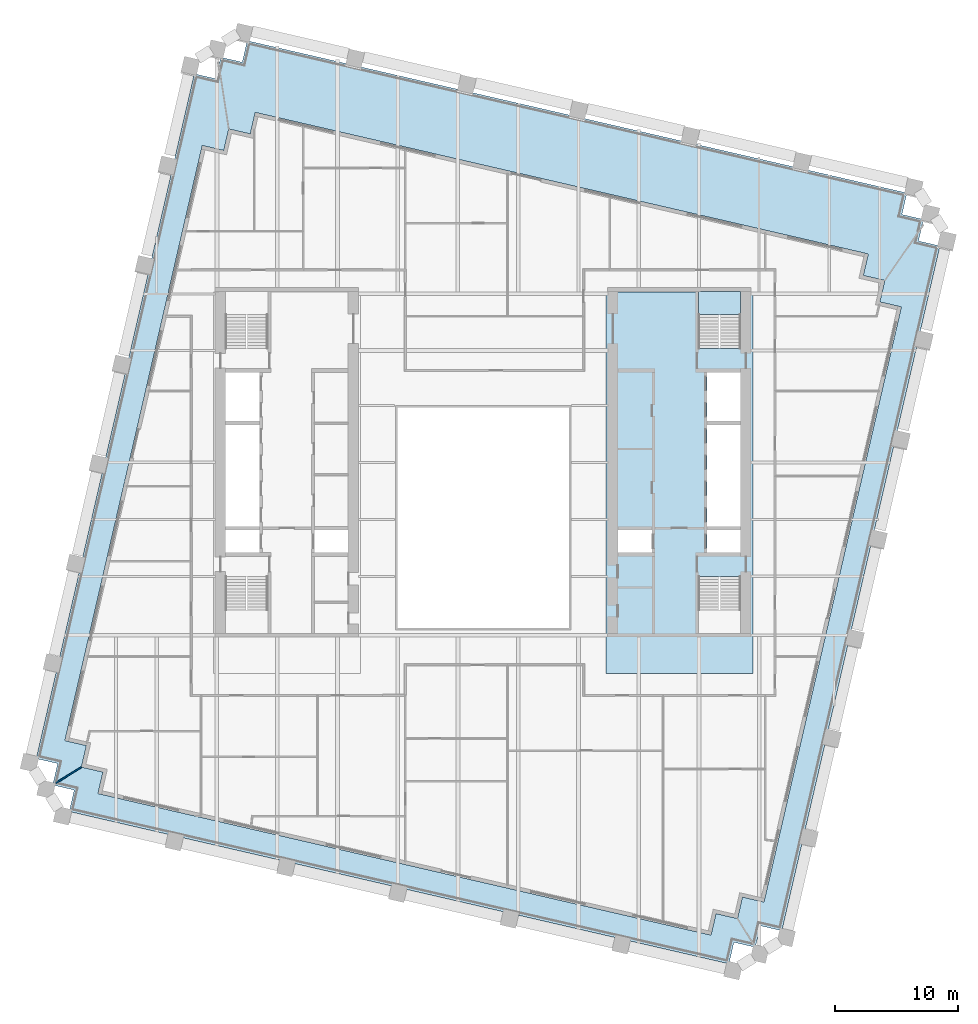
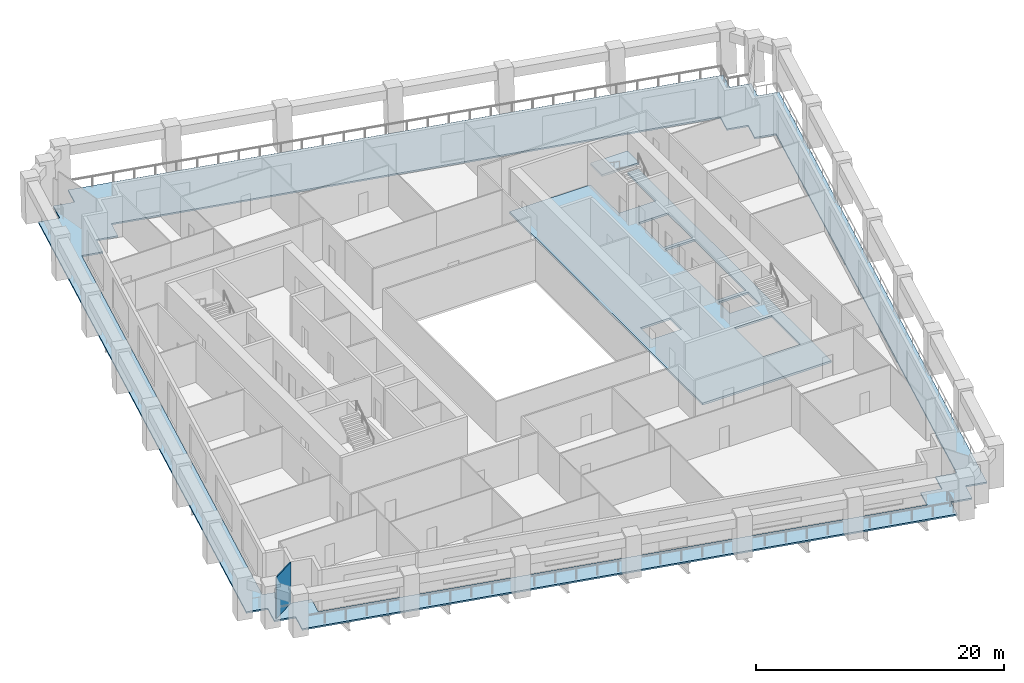
# One storey, part 3 of 12: 3 slabs, 1 wall, 1 element without a shape of its own.
"""IFC4 building model written with IfcOpenShell, lengths in metres."""

from ifc_helpers import new_model, si_unit, direction, frame, frame_2d, origin, place, context, subcontext, project, spatial, polyline, rectangle, outline, extrude, material, layer, layer_set, type_object, element, aggregate, save


model = new_model("IFC4")

# Units and contexts
model_context = context("Model", 3, precision=1e-05, world=origin(), true_north=direction((0.0, 1.0)))
body_context = subcontext(model_context, "Body", "Model", "MODEL_VIEW")
ifc_project = project(units=[si_unit("LENGTHUNIT", "METRE"), si_unit("AREAUNIT", "SQUARE_METRE"), si_unit("VOLUMEUNIT", "CUBIC_METRE"), si_unit("PLANEANGLEUNIT", "RADIAN"), si_unit("MASSUNIT", "GRAM", prefix="KILO")], contexts=[model_context])

# Site, building, storey
site_placement = place(None, origin())
site = spatial("IfcSite", under=ifc_project, at=site_placement, CompositionType="ELEMENT")
building_placement = place(site_placement, origin())
building = spatial("IfcBuilding", under=site, at=building_placement, Name="Ogive Exchange Tower", CompositionType="ELEMENT")
storey_placement = place(building_placement, frame((0.0, 0.0, 139.199951171875)))
storey = spatial("IfcBuildingStorey", under=building, at=storey_placement, Name="L30", CompositionType="ELEMENT", Elevation=139.199951171875)

# Slabs
ifc_material_1 = material(Name="Concrete C70/85", Category="concrete")
ifc_layer_1 = layer(ifc_material_1, 0.199951171875)
ifc_layer_set_1 = layer_set([ifc_layer_1], Name="Core floor slab 200")
slab_type_1 = type_object("IfcSlabType", Name="Core floor slab 200", PredefinedType="FLOOR", material=ifc_layer_set_1)
slab_1_placement = place(storey_placement, frame((0.0, 0.0, -0.199951171875)))
element("IfcSlab", 1, at=slab_1_placement, inside=storey, type_object=slab_type_1, Name="Core floor slab", PredefinedType="FLOOR", context=body_context, shape_type="SweptSolid", body=[
    extrude(outline(polyline([(22.0, 25.39990234375), (22.0, -5.699951171875), (10.0, -5.699951171875), (10.0, 25.39990234375), (17.550048828125, 25.39990234375), (17.550048828125, 20.803955078125), (21.0, 20.803955078125), (21.0, 25.39990234375), (22.0, 25.39990234375)]), holes=[polyline([(21.0, 2.196044921875), (17.550048828125, 2.196044921875), (17.550048828125, -2.449951171875), (21.0, -2.449951171875), (21.0, 2.196044921875)]), polyline([(13.75, 5.992919921875), (11.0, 5.992919921875), (11.0, 4.14990234375), (13.75, 4.14990234375), (13.75, 5.992919921875)]), polyline([(21.0, 5.992919921875), (18.25, 5.992919921875), (18.25, 4.14990234375), (21.0, 4.14990234375), (21.0, 5.992919921875)]), polyline([(18.25, 14.564208984375), (18.25, 6.29296875), (21.0, 6.29296875), (21.0, 14.564208984375), (18.25, 14.564208984375)]), polyline([(21.0, 18.85009765625), (18.25, 18.85009765625), (18.25, 14.8642578125), (21.0, 14.8642578125), (21.0, 18.85009765625)])]), origin(), (0.0, 0.0, 1.0), 0.199951171875),
])
ifc_material_2 = material(Name="Concrete C50/60", Category="concrete")
ifc_layer_2 = layer(ifc_material_2, 0.14990234375)
ifc_layer_set_2 = layer_set([ifc_layer_2], Name="Loggia deck 150")
slab_type_2 = type_object("IfcSlabType", Name="Loggia deck 150", PredefinedType="FLOOR", material=ifc_layer_set_2)
slab_2_placement = place(storey_placement, frame((0.0, 0.0, -0.199951171875)))
element("IfcSlab", 2, at=slab_2_placement, inside=storey, type_object=slab_type_2, Name="Loggia deck", PredefinedType="FLOOR", context=body_context, shape_type="SweptSolid", body=[
    extrude(outline(polyline([(-33.33740234375, -15.20703125), (-35.09130859375, -14.802001953125), (-34.686279296875, -13.04833984375), (-36.440185546875, -12.643310546875), (-23.550537109375, 43.18798828125), (-21.796630859375, 42.783203125), (-21.391845703125, 44.537109375), (-19.637939453125, 44.132080078125), (-19.23291015625, 45.885986328125), (34.55224609375, 33.46875), (34.147216796875, 31.71484375), (35.901123046875, 31.309814453125), (35.49609375, 29.555908203125), (37.25, 29.151123046875), (24.3603515625, -26.680419921875), (22.6064453125, -26.275390625), (22.20166015625, -28.029296875), (20.44775390625, -27.62451171875), (20.04296875, -29.378173828125), (-33.742431640625, -16.9609375), (-33.33740234375, -15.20703125)]), holes=[polyline([(18.986328125, -25.28564453125), (20.740234375, -25.690673828125), (21.145263671875, -23.936767578125), (22.89892578125, -24.341552734375), (34.1015625, 24.181884765625), (32.34765625, 24.5869140625), (32.752685546875, 26.3408203125), (30.998779296875, 26.74560546875), (31.40380859375, 28.49951171875), (-18.58154296875, 40.03955078125), (-18.986328125, 38.28564453125), (-20.740234375, 38.690673828125), (-21.145263671875, 36.936767578125), (-22.89892578125, 37.341552734375), (-34.1015625, -11.181884765625), (-32.34765625, -11.5869140625), (-32.752685546875, -13.3408203125), (-30.998779296875, -13.74560546875), (-31.40380859375, -15.49951171875), (18.58154296875, -27.03955078125), (18.986328125, -25.28564453125)])]), origin(), (0.0, 0.0, 1.0), 0.14990234375),
])

# Stair, slab
ifc_material_3 = material(Name="Concrete C40/50", Category="concrete")
stair_type = type_object("IfcStairType", Name="Exit stair 1650 wide", PredefinedType="HALF_TURN_STAIR", material=ifc_material_3)
stair_placement = place(storey_placement, origin())
stair = element("IfcStair", 3, at=stair_placement, inside=storey, type_object=stair_type, Name="L30 exit stair ST4", PredefinedType="HALF_TURN_STAIR")
ifc_layer_3 = layer(ifc_material_3, 0.199951171875)
ifc_layer_set_3 = layer_set([ifc_layer_3], Name="Stair landing 200 slab")
slab_type_3 = type_object("IfcSlabType", Name="Stair landing 200 slab", PredefinedType="LANDING", material=ifc_layer_set_3)
slab_3_placement = place(storey_placement, frame((0.0, 0.0, 1.900146484375)))
slab_3 = element("IfcSlab", 4, at=slab_3_placement, type_object=slab_type_3, Name="ST4 landing 1", PredefinedType="LANDING", context=body_context, shape_type="SweptSolid", body=[
    extrude(outline(polyline([(21.0, 23.550048828125), (21.0, 25.449951171875), (17.550048828125, 25.449951171875), (17.550048828125, 23.550048828125), (21.0, 23.550048828125)])), origin(), (0.0, 0.0, 1.0), 0.199951171875),
])
aggregate(stair, [slab_3])

# Wall
ifc_material_4 = material(Name="Laminated safety glass in steel frame", Category="steel")
ifc_layer_4 = layer(ifc_material_4, 0.10009765625)
ifc_layer_set_4 = layer_set([ifc_layer_4], Name="Loggia end screen 100")
wall_type = type_object("IfcWallType", Name="Loggia end screen 100", PredefinedType="STANDARD", material=ifc_layer_set_4)
wall_placement = place(storey_placement, frame((-32.752685546875, -13.3408203125, -0.050048828125), z_axis=(0.0, 0.0, 1.0), x_axis=(-0.848059759764, -0.529900598103, 0.0)))
element("IfcWall", 5, at=wall_placement, inside=storey, type_object=wall_type, Name="Loggia end screen C4", PredefinedType="STANDARD", context=body_context, shape_type="SweptSolid", body=[
    extrude(rectangle(XDim=2.454833984375, YDim=0.10009765625, at=frame_2d((1.2275390625, 0.0))), origin(), (0.0, 0.0, 1.0), 4.050048828125),
])

save(model, "model.ifc")
